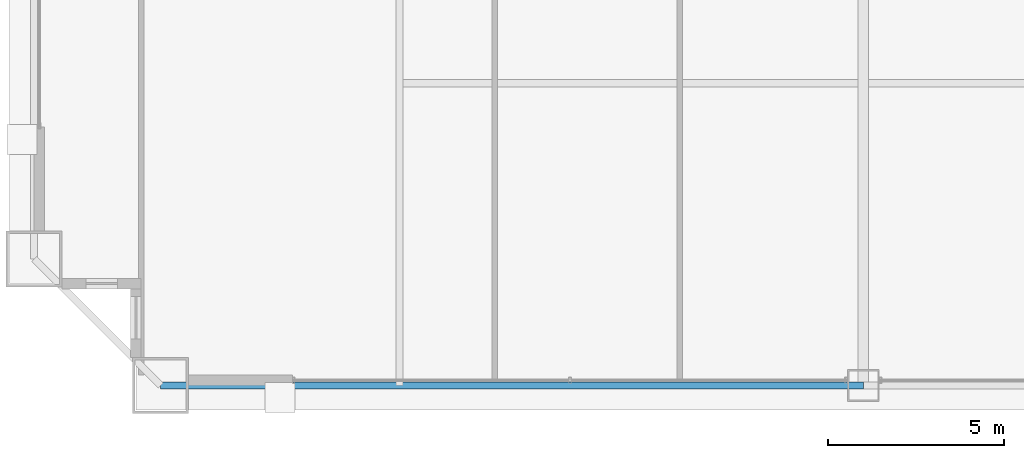
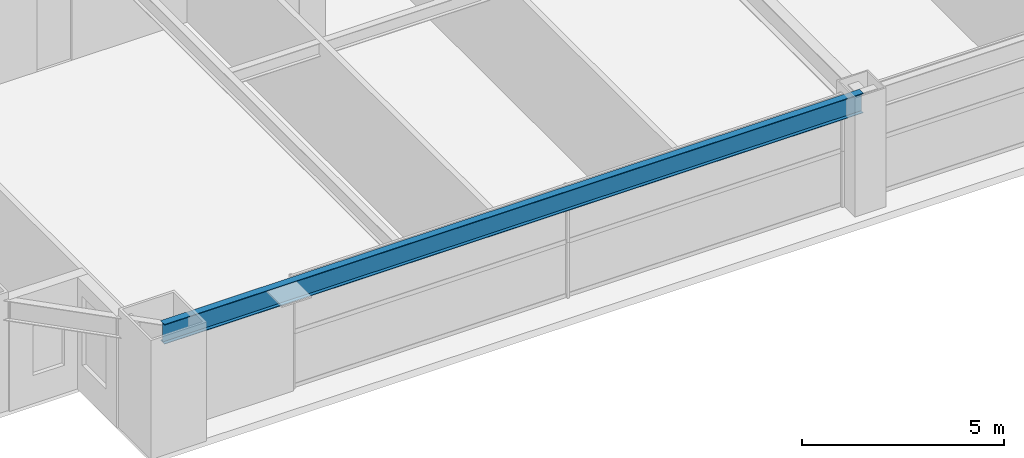
# One storey, part 5 of 39: 1 beam.
"""IFC4 building model written with IfcOpenShell, lengths in metres."""

from ifc_helpers import new_model, si_unit, direction, frame, origin, origin_2d, place, context, subcontext, project, spatial, i_section, extrude, source, transform, mapped, material, material_profile, profile_set, type_object, element, save


model = new_model("IFC4")

# Units and contexts
model_context = context("Model", 3, precision=1e-05, world=origin(), true_north=direction((0.0, 1.0)))
body_context = subcontext(model_context, "Body", "Model", "MODEL_VIEW")
ifc_project = project(units=[si_unit("LENGTHUNIT", "METRE"), si_unit("AREAUNIT", "SQUARE_METRE"), si_unit("VOLUMEUNIT", "CUBIC_METRE"), si_unit("PLANEANGLEUNIT", "RADIAN"), si_unit("MASSUNIT", "GRAM", prefix="KILO"), si_unit("THERMODYNAMICTEMPERATUREUNIT", "KELVIN"), si_unit("POWERUNIT", "WATT")], contexts=[model_context])

# Site, building, storey
site_placement = place(None, origin())
site = spatial("IfcSite", under=ifc_project, at=site_placement, CompositionType="ELEMENT")
building_placement = place(site_placement, origin())
building = spatial("IfcBuilding", under=site, at=building_placement, Name="Yuzanri Waterfront Tower", CompositionType="ELEMENT")
storey_placement = place(building_placement, frame((0.0, 0.0, 141.60009765625)))
storey = spatial("IfcBuildingStorey", under=building, at=storey_placement, Name="L37", CompositionType="ELEMENT", Elevation=141.60009765625)

# Beam
ifc_material = material(Name="Steel Q355B", Category="steel")
ifc_material_profile = material_profile(ifc_material, i_section(OverallWidth=0.199951171875, OverallDepth=0.60009765625, WebThickness=0.010986328125, FlangeThickness=0.01708984375, at=origin_2d()), Name="HN 600x200x11x17")
ifc_profile_set = profile_set([ifc_material_profile], Name="Steel Q355B")
beam_type = type_object("IfcBeamType", Name="Perimeter Spandrel Q355B HN 600x200", PredefinedType="SPANDREL", material=ifc_profile_set)
shared_shape = source(origin(), body_context, "Body", "SweptSolid", [
    extrude(i_section(OverallWidth=0.199951171875, OverallDepth=0.60009765625, WebThickness=0.010986328125, FlangeThickness=0.01708984375, at=origin_2d()), origin(), (0.0, 0.0, 1.0), 20.0),
])
beam_placement = place(storey_placement, frame((17.0, 2.199951171875, 3.079833984375), z_axis=(1.0, 0.0, 0.0), x_axis=(0.0, 1.0, 0.0)))
element("IfcBeam", 1, at=beam_placement, inside=storey, type_object=beam_type, Name="L37 Perimeter Spandrel S1-S2", PredefinedType="SPANDREL", context=body_context, shape_type="MappedRepresentation", body=[
    mapped(shared_shape, transform((0.0, 0.0, 0.0), scale=1.0)),
])

save(model, "model.ifc")
